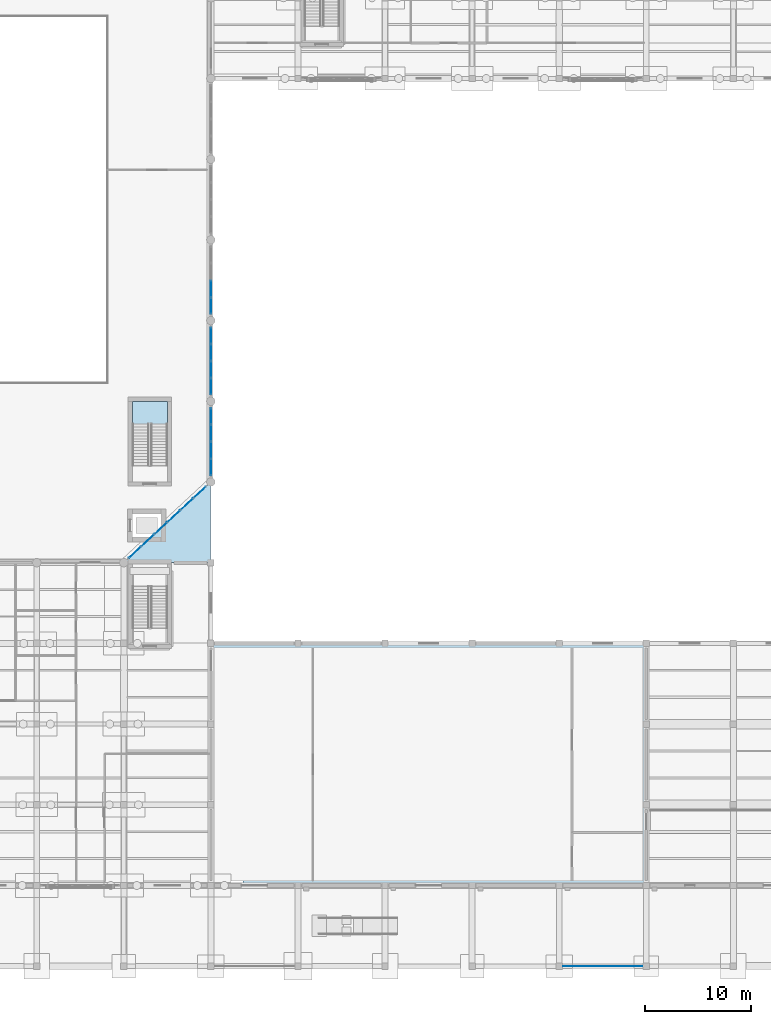
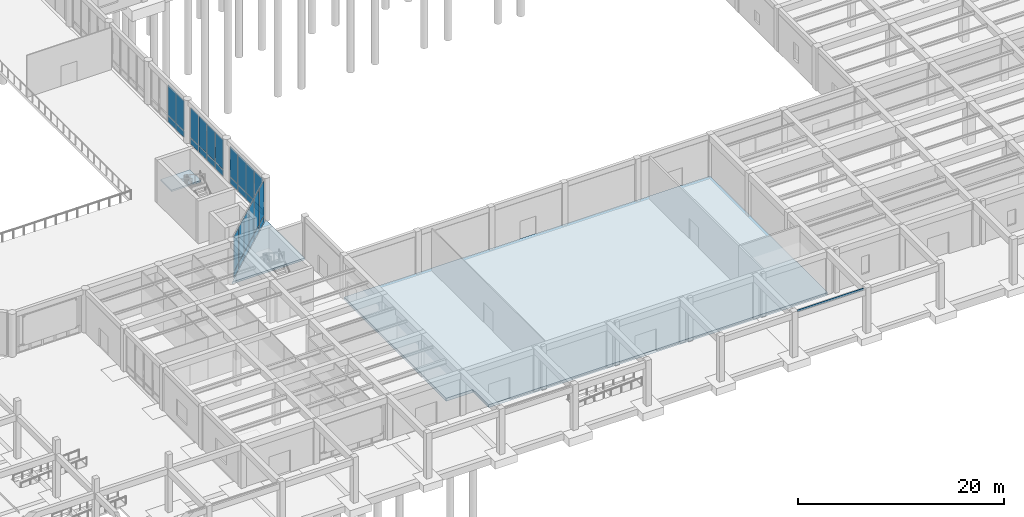
# One storey, part 36 of 64: 33 plates, 3 slabs, 5 elements without a shape of their own.
"""IFC4 building model written with IfcOpenShell, lengths in metres."""

from ifc_helpers import new_model, si_unit, direction, frame, origin, origin_2d, place, context, subcontext, project, spatial, polyline, rectangle, outline, extrude, material, layer, layer_set, type_object, element, aggregate, save


model = new_model("IFC4")

# Units and contexts
model_context = context("Model", 3, precision=1e-05, world=origin(), true_north=direction((0.0, 1.0)))
body_context = subcontext(model_context, "Body", "Model", "MODEL_VIEW")
ifc_project = project(units=[si_unit("LENGTHUNIT", "METRE"), si_unit("AREAUNIT", "SQUARE_METRE"), si_unit("VOLUMEUNIT", "CUBIC_METRE"), si_unit("PLANEANGLEUNIT", "RADIAN"), si_unit("MASSUNIT", "GRAM", prefix="KILO")], contexts=[model_context])

# Site, building, storey
site_placement = place(None, origin())
site = spatial("IfcSite", under=ifc_project, at=site_placement, CompositionType="ELEMENT")
building_placement = place(site_placement, origin())
building = spatial("IfcBuilding", under=site, at=building_placement, Name="Qandaris Square Conservatory and Botanical Centre", CompositionType="ELEMENT")
storey_placement = place(building_placement, origin())
storey = spatial("IfcBuildingStorey", under=building, at=storey_placement, Name="L00", CompositionType="ELEMENT", Elevation=0.0)

# Curtain wall, plates
ifc_material_1 = material(Name="Anodised Aluminium", Category="aluminium")
curtain_wall_type_1 = type_object("IfcCurtainWallType", Name="Unitised Curtain Wall CW-1-1002x510", PredefinedType="USERDEFINED", material=ifc_material_1)
curtain_wall_1_placement = place(storey_placement, origin())
curtain_wall_1 = element("IfcCurtainWall", 1, at=curtain_wall_1_placement, inside=storey, type_object=curtain_wall_type_1, Name="Curtain Wall CW-CON-L00-2-1", ObjectType="GLAZED CURTAIN WALL", PredefinedType="USERDEFINED")
ifc_material_2 = material(Name="Tempered Low-E Glass", Category="glass")
ifc_layer_1 = layer(ifc_material_2, 0.0400390625)
ifc_layer_set_1 = layer_set([ifc_layer_1], Name="Tempered Low-E Glass")
plate_type_1 = type_object("IfcPlateType", Name="Conservatory Laminated Low-Iron Biome Glass 40mm", PredefinedType="CURTAIN_PANEL", material=ifc_layer_set_1)
plate_1_placement = place(storey_placement, frame((50.051513671875, 47.974609375, 0.0751953125), z_axis=(0.0, 0.0, 1.0), x_axis=(0.733432966404, 0.679761784592, 0.0)))
plate_1 = element("IfcPlate", 2, at=plate_1_placement, type_object=plate_type_1, Name="CW-1-1002x510 panel 1.1", PredefinedType="CURTAIN_PANEL", context=body_context, shape_type="SweptSolid", body=[
    extrude(rectangle(XDim=1.5576171875, YDim=0.0400390625, at=origin_2d()), origin(), (0.0, 0.0, 1.0), 0.737548828125),
])
plate_2_placement = place(storey_placement, frame((50.051513671875, 47.974609375, 0.8876953125), z_axis=(0.0, 0.0, 1.0), x_axis=(0.733432966404, 0.679761784592, 0.0)))
plate_2 = element("IfcPlate", 3, at=plate_2_placement, type_object=plate_type_1, Name="CW-1-1002x510 panel 1.2", PredefinedType="CURTAIN_PANEL", context=body_context, shape_type="SweptSolid", body=[
    extrude(rectangle(XDim=1.5576171875, YDim=0.0400390625, at=origin_2d()), origin(), (0.0, 0.0, 1.0), 4.137451171875),
])
plate_3_placement = place(storey_placement, frame((51.2626953125, 49.09716796875, 0.0751953125), z_axis=(0.0, 0.0, 1.0), x_axis=(0.733432966404, 0.679761784592, 0.0)))
plate_3 = element("IfcPlate", 4, at=plate_3_placement, type_object=plate_type_1, Name="CW-1-1002x510 panel 2.1", PredefinedType="CURTAIN_PANEL", context=body_context, shape_type="SweptSolid", body=[
    extrude(rectangle(XDim=1.594970703125, YDim=0.0400390625, at=origin_2d()), origin(), (0.0, 0.0, 1.0), 0.737548828125),
])
plate_4_placement = place(storey_placement, frame((51.2626953125, 49.09716796875, 0.8876953125), z_axis=(0.0, 0.0, 1.0), x_axis=(0.733432966404, 0.679761784592, 0.0)))
plate_4 = element("IfcPlate", 5, at=plate_4_placement, type_object=plate_type_1, Name="CW-1-1002x510 panel 2.2", PredefinedType="CURTAIN_PANEL", context=body_context, shape_type="SweptSolid", body=[
    extrude(rectangle(XDim=1.594970703125, YDim=0.0400390625, at=origin_2d()), origin(), (0.0, 0.0, 1.0), 4.137451171875),
])
plate_5_placement = place(storey_placement, frame((52.487548828125, 50.232421875, 0.0751953125), z_axis=(0.0, 0.0, 1.0), x_axis=(0.733432966404, 0.679761784592, 0.0)))
plate_5 = element("IfcPlate", 6, at=plate_5_placement, type_object=plate_type_1, Name="CW-1-1002x510 panel 3.1", PredefinedType="CURTAIN_PANEL", context=body_context, shape_type="SweptSolid", body=[
    extrude(rectangle(XDim=1.594970703125, YDim=0.0400390625, at=origin_2d()), origin(), (0.0, 0.0, 1.0), 0.737548828125),
])
plate_6_placement = place(storey_placement, frame((52.487548828125, 50.232421875, 0.8876953125), z_axis=(0.0, 0.0, 1.0), x_axis=(0.733432966404, 0.679761784592, 0.0)))
plate_6 = element("IfcPlate", 7, at=plate_6_placement, type_object=plate_type_1, Name="CW-1-1002x510 panel 3.2", PredefinedType="CURTAIN_PANEL", context=body_context, shape_type="SweptSolid", body=[
    extrude(rectangle(XDim=1.594970703125, YDim=0.0400390625, at=origin_2d()), origin(), (0.0, 0.0, 1.0), 4.137451171875),
])
plate_7_placement = place(storey_placement, frame((53.71240234375, 51.36767578125, 0.0751953125), z_axis=(0.0, 0.0, 1.0), x_axis=(0.733432966404, 0.679761784592, 0.0)))
plate_7 = element("IfcPlate", 8, at=plate_7_placement, type_object=plate_type_1, Name="CW-1-1002x510 panel 4.1", PredefinedType="CURTAIN_PANEL", context=body_context, shape_type="SweptSolid", body=[
    extrude(rectangle(XDim=1.594970703125, YDim=0.0400390625, at=origin_2d()), origin(), (0.0, 0.0, 1.0), 0.737548828125),
])
plate_8_placement = place(storey_placement, frame((53.71240234375, 51.36767578125, 0.8876953125), z_axis=(0.0, 0.0, 1.0), x_axis=(0.733432966404, 0.679761784592, 0.0)))
plate_8 = element("IfcPlate", 9, at=plate_8_placement, type_object=plate_type_1, Name="CW-1-1002x510 panel 4.2", PredefinedType="CURTAIN_PANEL", context=body_context, shape_type="SweptSolid", body=[
    extrude(rectangle(XDim=1.594970703125, YDim=0.0400390625, at=origin_2d()), origin(), (0.0, 0.0, 1.0), 4.137451171875),
])
plate_9_placement = place(storey_placement, frame((54.937255859375, 52.5029296875, 0.0751953125), z_axis=(0.0, 0.0, 1.0), x_axis=(0.733432966404, 0.679761784592, 0.0)))
plate_9 = element("IfcPlate", 10, at=plate_9_placement, type_object=plate_type_1, Name="CW-1-1002x510 panel 5.1", PredefinedType="CURTAIN_PANEL", context=body_context, shape_type="SweptSolid", body=[
    extrude(rectangle(XDim=1.594970703125, YDim=0.0400390625, at=origin_2d()), origin(), (0.0, 0.0, 1.0), 0.737548828125),
])
plate_10_placement = place(storey_placement, frame((54.937255859375, 52.5029296875, 0.8876953125), z_axis=(0.0, 0.0, 1.0), x_axis=(0.733432966404, 0.679761784592, 0.0)))
plate_10 = element("IfcPlate", 11, at=plate_10_placement, type_object=plate_type_1, Name="CW-1-1002x510 panel 5.2", PredefinedType="CURTAIN_PANEL", context=body_context, shape_type="SweptSolid", body=[
    extrude(rectangle(XDim=1.594970703125, YDim=0.0400390625, at=origin_2d()), origin(), (0.0, 0.0, 1.0), 4.137451171875),
])
plate_11_placement = place(storey_placement, frame((56.1484375, 53.625244140625, 0.0751953125), z_axis=(0.0, 0.0, 1.0), x_axis=(0.733432966404, 0.679761784592, 0.0)))
plate_11 = element("IfcPlate", 12, at=plate_11_placement, type_object=plate_type_1, Name="CW-1-1002x510 panel 6.1", PredefinedType="CURTAIN_PANEL", context=body_context, shape_type="SweptSolid", body=[
    extrude(rectangle(XDim=1.5576171875, YDim=0.0400390625, at=origin_2d()), origin(), (0.0, 0.0, 1.0), 0.737548828125),
])
plate_12_placement = place(storey_placement, frame((56.1484375, 53.625244140625, 0.8876953125), z_axis=(0.0, 0.0, 1.0), x_axis=(0.733432966404, 0.679761784592, 0.0)))
plate_12 = element("IfcPlate", 13, at=plate_12_placement, type_object=plate_type_1, Name="CW-1-1002x510 panel 6.2", PredefinedType="CURTAIN_PANEL", context=body_context, shape_type="SweptSolid", body=[
    extrude(rectangle(XDim=1.5576171875, YDim=0.0400390625, at=origin_2d()), origin(), (0.0, 0.0, 1.0), 4.137451171875),
])
aggregate(curtain_wall_1, [plate_1, plate_2, plate_3, plate_4, plate_5, plate_6, plate_7, plate_8, plate_9, plate_10, plate_11, plate_12])

curtain_wall_type_2 = type_object("IfcCurtainWallType", Name="Unitised Curtain Wall CW-1-644x450", PredefinedType="USERDEFINED", material=ifc_material_1)
curtain_wall_2_placement = place(storey_placement, origin())
curtain_wall_2 = element("IfcCurtainWall", 14, at=curtain_wall_2_placement, inside=storey, type_object=curtain_wall_type_2, Name="Curtain Wall CW-CON-L00-3-1", ObjectType="GLAZED CURTAIN WALL", PredefinedType="USERDEFINED")
plate_13_placement = place(storey_placement, frame((57.199951171875, 56.003662109375, 0.0751953125), z_axis=(0.0, 0.0, 1.0), x_axis=(0.0, 1.0, 0.0)))
plate_13 = element("IfcPlate", 15, at=plate_13_placement, type_object=plate_type_1, Name="CW-1-644x450 panel 1.1", PredefinedType="CURTAIN_PANEL", context=body_context, shape_type="SweptSolid", body=[
    extrude(rectangle(XDim=1.49755859375, YDim=0.0400390625, at=origin_2d()), origin(), (0.0, 0.0, 1.0), 0.737548828125),
])
plate_14_placement = place(storey_placement, frame((57.199951171875, 56.003662109375, 0.887451171875), z_axis=(0.0, 0.0, 1.0), x_axis=(0.0, 1.0, 0.0)))
plate_14 = element("IfcPlate", 16, at=plate_14_placement, type_object=plate_type_1, Name="CW-1-644x450 panel 1.2", PredefinedType="CURTAIN_PANEL", context=body_context, shape_type="SweptSolid", body=[
    extrude(rectangle(XDim=1.49755859375, YDim=0.0400390625, at=origin_2d()), origin(), (0.0, 0.0, 1.0), 3.53759765625),
])
plate_15_placement = place(storey_placement, frame((57.199951171875, 57.594970703125, 0.0751953125), z_axis=(0.0, 0.0, 1.0), x_axis=(0.0, 1.0, 0.0)))
plate_15 = element("IfcPlate", 17, at=plate_15_placement, type_object=plate_type_1, Name="CW-1-644x450 panel 2.1", PredefinedType="CURTAIN_PANEL", context=body_context, shape_type="SweptSolid", body=[
    extrude(rectangle(XDim=1.534912109375, YDim=0.0400390625, at=origin_2d()), origin(), (0.0, 0.0, 1.0), 0.737548828125),
])
plate_16_placement = place(storey_placement, frame((57.199951171875, 57.594970703125, 0.887451171875), z_axis=(0.0, 0.0, 1.0), x_axis=(0.0, 1.0, 0.0)))
plate_16 = element("IfcPlate", 18, at=plate_16_placement, type_object=plate_type_1, Name="CW-1-644x450 panel 2.2", PredefinedType="CURTAIN_PANEL", context=body_context, shape_type="SweptSolid", body=[
    extrude(rectangle(XDim=1.534912109375, YDim=0.0400390625, at=origin_2d()), origin(), (0.0, 0.0, 1.0), 3.53759765625),
])
plate_17_placement = place(storey_placement, frame((57.199951171875, 59.205078125, 0.0751953125), z_axis=(0.0, 0.0, 1.0), x_axis=(0.0, 1.0, 0.0)))
plate_17 = element("IfcPlate", 19, at=plate_17_placement, type_object=plate_type_1, Name="CW-1-644x450 panel 3.1", PredefinedType="CURTAIN_PANEL", context=body_context, shape_type="SweptSolid", body=[
    extrude(rectangle(XDim=1.534912109375, YDim=0.0400390625, at=origin_2d()), origin(), (0.0, 0.0, 1.0), 0.737548828125),
])
plate_18_placement = place(storey_placement, frame((57.199951171875, 59.205078125, 0.887451171875), z_axis=(0.0, 0.0, 1.0), x_axis=(0.0, 1.0, 0.0)))
plate_18 = element("IfcPlate", 20, at=plate_18_placement, type_object=plate_type_1, Name="CW-1-644x450 panel 3.2", PredefinedType="CURTAIN_PANEL", context=body_context, shape_type="SweptSolid", body=[
    extrude(rectangle(XDim=1.534912109375, YDim=0.0400390625, at=origin_2d()), origin(), (0.0, 0.0, 1.0), 3.53759765625),
])
plate_19_placement = place(storey_placement, frame((57.199951171875, 60.796142578125, 0.0751953125), z_axis=(0.0, 0.0, 1.0), x_axis=(0.0, 1.0, 0.0)))
plate_19 = element("IfcPlate", 21, at=plate_19_placement, type_object=plate_type_1, Name="CW-1-644x450 panel 4.1", PredefinedType="CURTAIN_PANEL", context=body_context, shape_type="SweptSolid", body=[
    extrude(rectangle(XDim=1.49755859375, YDim=0.0400390625, at=origin_2d()), origin(), (0.0, 0.0, 1.0), 0.737548828125),
])
plate_20_placement = place(storey_placement, frame((57.199951171875, 60.796142578125, 0.887451171875), z_axis=(0.0, 0.0, 1.0), x_axis=(0.0, 1.0, 0.0)))
plate_20 = element("IfcPlate", 22, at=plate_20_placement, type_object=plate_type_1, Name="CW-1-644x450 panel 4.2", PredefinedType="CURTAIN_PANEL", context=body_context, shape_type="SweptSolid", body=[
    extrude(rectangle(XDim=1.49755859375, YDim=0.0400390625, at=origin_2d()), origin(), (0.0, 0.0, 1.0), 3.53759765625),
])
aggregate(curtain_wall_2, [plate_13, plate_14, plate_15, plate_16, plate_17, plate_18, plate_19, plate_20])

curtain_wall_3_placement = place(storey_placement, origin())
curtain_wall_3 = element("IfcCurtainWall", 23, at=curtain_wall_3_placement, inside=storey, type_object=curtain_wall_type_2, Name="Curtain Wall CW-CON-L00-3-2", ObjectType="GLAZED CURTAIN WALL", PredefinedType="USERDEFINED")
plate_21_placement = place(storey_placement, frame((57.199951171875, 63.603759765625, 0.0751953125), z_axis=(0.0, 0.0, 1.0), x_axis=(0.0, 1.0, 0.0)))
plate_21 = element("IfcPlate", 24, at=plate_21_placement, type_object=plate_type_1, Name="CW-1-644x450 panel 1.1", PredefinedType="CURTAIN_PANEL", context=body_context, shape_type="SweptSolid", body=[
    extrude(rectangle(XDim=1.49755859375, YDim=0.0400390625, at=origin_2d()), origin(), (0.0, 0.0, 1.0), 0.737548828125),
])
plate_22_placement = place(storey_placement, frame((57.199951171875, 63.603759765625, 0.887451171875), z_axis=(0.0, 0.0, 1.0), x_axis=(0.0, 1.0, 0.0)))
plate_22 = element("IfcPlate", 25, at=plate_22_placement, type_object=plate_type_1, Name="CW-1-644x450 panel 1.2", PredefinedType="CURTAIN_PANEL", context=body_context, shape_type="SweptSolid", body=[
    extrude(rectangle(XDim=1.49755859375, YDim=0.0400390625, at=origin_2d()), origin(), (0.0, 0.0, 1.0), 3.53759765625),
])
plate_23_placement = place(storey_placement, frame((57.199951171875, 65.195068359375, 0.0751953125), z_axis=(0.0, 0.0, 1.0), x_axis=(0.0, 1.0, 0.0)))
plate_23 = element("IfcPlate", 26, at=plate_23_placement, type_object=plate_type_1, Name="CW-1-644x450 panel 2.1", PredefinedType="CURTAIN_PANEL", context=body_context, shape_type="SweptSolid", body=[
    extrude(rectangle(XDim=1.534912109375, YDim=0.0400390625, at=origin_2d()), origin(), (0.0, 0.0, 1.0), 0.737548828125),
])
plate_24_placement = place(storey_placement, frame((57.199951171875, 65.195068359375, 0.887451171875), z_axis=(0.0, 0.0, 1.0), x_axis=(0.0, 1.0, 0.0)))
plate_24 = element("IfcPlate", 27, at=plate_24_placement, type_object=plate_type_1, Name="CW-1-644x450 panel 2.2", PredefinedType="CURTAIN_PANEL", context=body_context, shape_type="SweptSolid", body=[
    extrude(rectangle(XDim=1.534912109375, YDim=0.0400390625, at=origin_2d()), origin(), (0.0, 0.0, 1.0), 3.53759765625),
])
plate_25_placement = place(storey_placement, frame((57.199951171875, 66.804931640625, 0.0751953125), z_axis=(0.0, 0.0, 1.0), x_axis=(0.0, 1.0, 0.0)))
plate_25 = element("IfcPlate", 28, at=plate_25_placement, type_object=plate_type_1, Name="CW-1-644x450 panel 3.1", PredefinedType="CURTAIN_PANEL", context=body_context, shape_type="SweptSolid", body=[
    extrude(rectangle(XDim=1.534912109375, YDim=0.0400390625, at=origin_2d()), origin(), (0.0, 0.0, 1.0), 0.737548828125),
])
plate_26_placement = place(storey_placement, frame((57.199951171875, 66.804931640625, 0.887451171875), z_axis=(0.0, 0.0, 1.0), x_axis=(0.0, 1.0, 0.0)))
plate_26 = element("IfcPlate", 29, at=plate_26_placement, type_object=plate_type_1, Name="CW-1-644x450 panel 3.2", PredefinedType="CURTAIN_PANEL", context=body_context, shape_type="SweptSolid", body=[
    extrude(rectangle(XDim=1.534912109375, YDim=0.0400390625, at=origin_2d()), origin(), (0.0, 0.0, 1.0), 3.53759765625),
])
plate_27_placement = place(storey_placement, frame((57.199951171875, 68.396240234375, 0.0751953125), z_axis=(0.0, 0.0, 1.0), x_axis=(0.0, 1.0, 0.0)))
plate_27 = element("IfcPlate", 30, at=plate_27_placement, type_object=plate_type_1, Name="CW-1-644x450 panel 4.1", PredefinedType="CURTAIN_PANEL", context=body_context, shape_type="SweptSolid", body=[
    extrude(rectangle(XDim=1.49755859375, YDim=0.0400390625, at=origin_2d()), origin(), (0.0, 0.0, 1.0), 0.737548828125),
])
plate_28_placement = place(storey_placement, frame((57.199951171875, 68.396240234375, 0.887451171875), z_axis=(0.0, 0.0, 1.0), x_axis=(0.0, 1.0, 0.0)))
plate_28 = element("IfcPlate", 31, at=plate_28_placement, type_object=plate_type_1, Name="CW-1-644x450 panel 4.2", PredefinedType="CURTAIN_PANEL", context=body_context, shape_type="SweptSolid", body=[
    extrude(rectangle(XDim=1.49755859375, YDim=0.0400390625, at=origin_2d()), origin(), (0.0, 0.0, 1.0), 3.53759765625),
])
aggregate(curtain_wall_3, [plate_21, plate_22, plate_23, plate_24, plate_25, plate_26, plate_27, plate_28])

curtain_wall_4_placement = place(storey_placement, origin())
curtain_wall_4 = element("IfcCurtainWall", 32, at=curtain_wall_4_placement, inside=storey, type_object=curtain_wall_type_2, Name="Curtain Wall CW-CON-L00-3-3", ObjectType="GLAZED CURTAIN WALL", PredefinedType="USERDEFINED")
plate_29_placement = place(storey_placement, frame((57.199951171875, 71.203857421875, 0.0751953125), z_axis=(0.0, 0.0, 1.0), x_axis=(0.0, 1.0, 0.0)))
plate_29 = element("IfcPlate", 33, at=plate_29_placement, type_object=plate_type_1, Name="CW-1-644x450 panel 1.1", PredefinedType="CURTAIN_PANEL", context=body_context, shape_type="SweptSolid", body=[
    extrude(rectangle(XDim=1.49755859375, YDim=0.0400390625, at=origin_2d()), origin(), (0.0, 0.0, 1.0), 0.737548828125),
])
plate_30_placement = place(storey_placement, frame((57.199951171875, 71.203857421875, 0.887451171875), z_axis=(0.0, 0.0, 1.0), x_axis=(0.0, 1.0, 0.0)))
plate_30 = element("IfcPlate", 34, at=plate_30_placement, type_object=plate_type_1, Name="CW-1-644x450 panel 1.2", PredefinedType="CURTAIN_PANEL", context=body_context, shape_type="SweptSolid", body=[
    extrude(rectangle(XDim=1.49755859375, YDim=0.0400390625, at=origin_2d()), origin(), (0.0, 0.0, 1.0), 3.53759765625),
])
plate_31_placement = place(storey_placement, frame((57.199951171875, 72.794921875, 0.0751953125), z_axis=(0.0, 0.0, 1.0), x_axis=(0.0, 1.0, 0.0)))
plate_31 = element("IfcPlate", 35, at=plate_31_placement, type_object=plate_type_1, Name="CW-1-644x450 panel 2.1", PredefinedType="CURTAIN_PANEL", context=body_context, shape_type="SweptSolid", body=[
    extrude(rectangle(XDim=1.534912109375, YDim=0.0400390625, at=origin_2d()), origin(), (0.0, 0.0, 1.0), 0.737548828125),
])
plate_32_placement = place(storey_placement, frame((57.199951171875, 72.794921875, 0.887451171875), z_axis=(0.0, 0.0, 1.0), x_axis=(0.0, 1.0, 0.0)))
plate_32 = element("IfcPlate", 36, at=plate_32_placement, type_object=plate_type_1, Name="CW-1-644x450 panel 2.2", PredefinedType="CURTAIN_PANEL", context=body_context, shape_type="SweptSolid", body=[
    extrude(rectangle(XDim=1.534912109375, YDim=0.0400390625, at=origin_2d()), origin(), (0.0, 0.0, 1.0), 3.53759765625),
])
aggregate(curtain_wall_4, [plate_29, plate_30, plate_31, plate_32])

# Plate
ifc_layer_2 = layer(ifc_material_1, 0.030029296875)
ifc_layer_set_2 = layer_set([ifc_layer_2], Name="Anodised Aluminium")
plate_type_2 = type_object("IfcPlateType", Name="Prairie Entrance Canopy Soffit Fascia Plate", PredefinedType="SHEET", material=ifc_layer_set_2)
plate_33_placement = place(storey_placement, frame((94.10009765625, 9.0, 5.0498046875), z_axis=(0.0, 0.0, 1.0), x_axis=(1.0, 0.0, 0.0)))
element("IfcPlate", 37, at=plate_33_placement, inside=storey, type_object=plate_type_2, Name="Canopy Fascia CNP-S4", PredefinedType="SHEET", context=body_context, shape_type="SweptSolid", body=[
    extrude(rectangle(XDim=7.39990234375, YDim=0.030029296875, at=origin_2d()), origin(), (0.0, 0.0, 1.0), 0.239990234375),
])

# Slab
ifc_material_3 = material(Name="Concrete C40/50", Category="concrete")
ifc_layer_3 = layer(ifc_material_3, 0.235107421875)
ifc_layer_set_3 = layer_set([ifc_layer_3], Name="Concrete C40/50")
slab_type_1 = type_object("IfcSlabType", Name="RC Exterior Terrace Slab 235mm", PredefinedType="FLOOR", material=ifc_layer_set_3)
slab_1_placement = place(storey_placement, frame((0.0, 0.0, -0.235107421875)))
element("IfcSlab", 38, at=slab_1_placement, inside=storey, type_object=slab_type_1, Name="Colonnade Plaza Deck FORE-SW", PredefinedType="FLOOR", context=body_context, shape_type="SweptSolid", body=[
    extrude(outline(polyline([(57.179931640625, 54.55419921875), (57.179931640625, 47.02001953125), (49.051025390625, 47.02001953125), (57.179931640625, 54.55419921875)])), origin(), (0.0, 0.0, 1.0), 0.235107421875),
])

# Stair, slab
stair_type = type_object("IfcStairType", Name="Podium Grand Escape Stair 1550mm", PredefinedType="HALF_TURN_STAIR", material=ifc_material_3)
stair_placement = place(storey_placement, origin())
stair = element("IfcStair", 39, at=stair_placement, inside=storey, type_object=stair_type, Name="L00 Conservatory West Exit Stair ST-5", PredefinedType="HALF_TURN_STAIR")
ifc_layer_4 = layer(ifc_material_3, 0.219970703125)
ifc_layer_set_4 = layer_set([ifc_layer_4], Name="Concrete C40/50")
slab_type_2 = type_object("IfcSlabType", Name="RC Stair Half-Landing Slab 220mm", PredefinedType="LANDING", material=ifc_layer_set_4)
slab_2_placement = place(storey_placement, frame((0.0, 0.0, 2.5)))
slab_2 = element("IfcSlab", 40, at=slab_2_placement, type_object=slab_type_2, Name="ST-5 landing 1", PredefinedType="LANDING", context=body_context, shape_type="SweptSolid", body=[
    extrude(outline(polyline([(53.10009765625, 60.070068359375), (53.10009765625, 62.199951171875), (49.800048828125, 62.199951171875), (49.800048828125, 60.070068359375), (53.10009765625, 60.070068359375)])), origin(), (0.0, 0.0, 1.0), 0.199951171875),
])
aggregate(stair, [slab_2])

# Slab
ifc_layer_5 = layer(ifc_material_3, 0.340087890625)
ifc_layer_set_5 = layer_set([ifc_layer_5], Name="Concrete C40/50")
slab_type_3 = type_object("IfcSlabType", Name="RC Structural Slab 340mm", PredefinedType="FLOOR", material=ifc_layer_set_5)
slab_3_placement = place(storey_placement, frame((0.0, 0.0, -0.340087890625)))
element("IfcSlab", 41, at=slab_3_placement, inside=storey, type_object=slab_type_3, Name="L00 Structural Slab V2L00", PredefinedType="FLOOR", context=body_context, shape_type="SweptSolid", body=[
    extrude(outline(polyline([(98.199951171875, 39.39990234375), (98.199951171875, 16.60009765625), (60.199951171875, 16.60009765625), (60.199951171875, 19.60009765625), (57.199951171875, 19.60009765625), (57.199951171875, 39.39990234375), (98.199951171875, 39.39990234375)])), origin(), (0.0, 0.0, 1.0), 0.340087890625),
])

save(model, "model.ifc")
